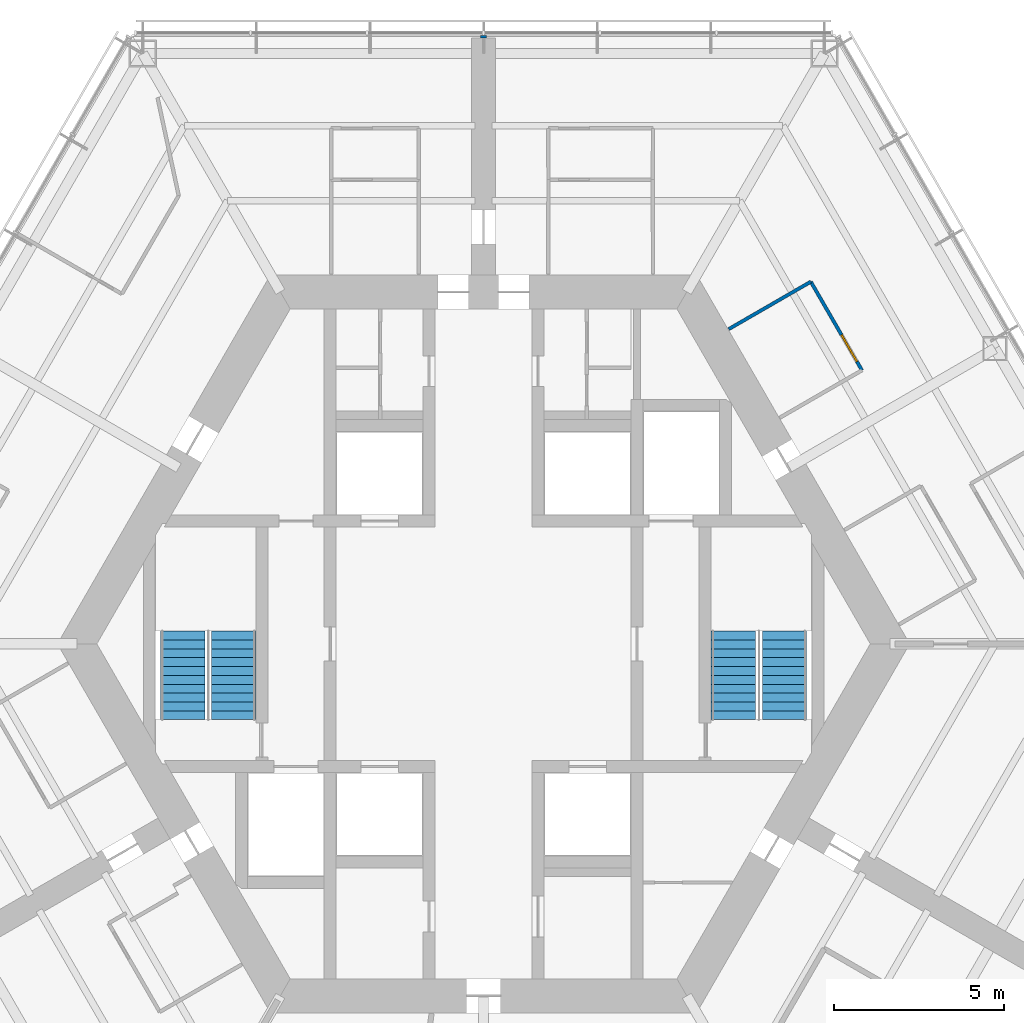
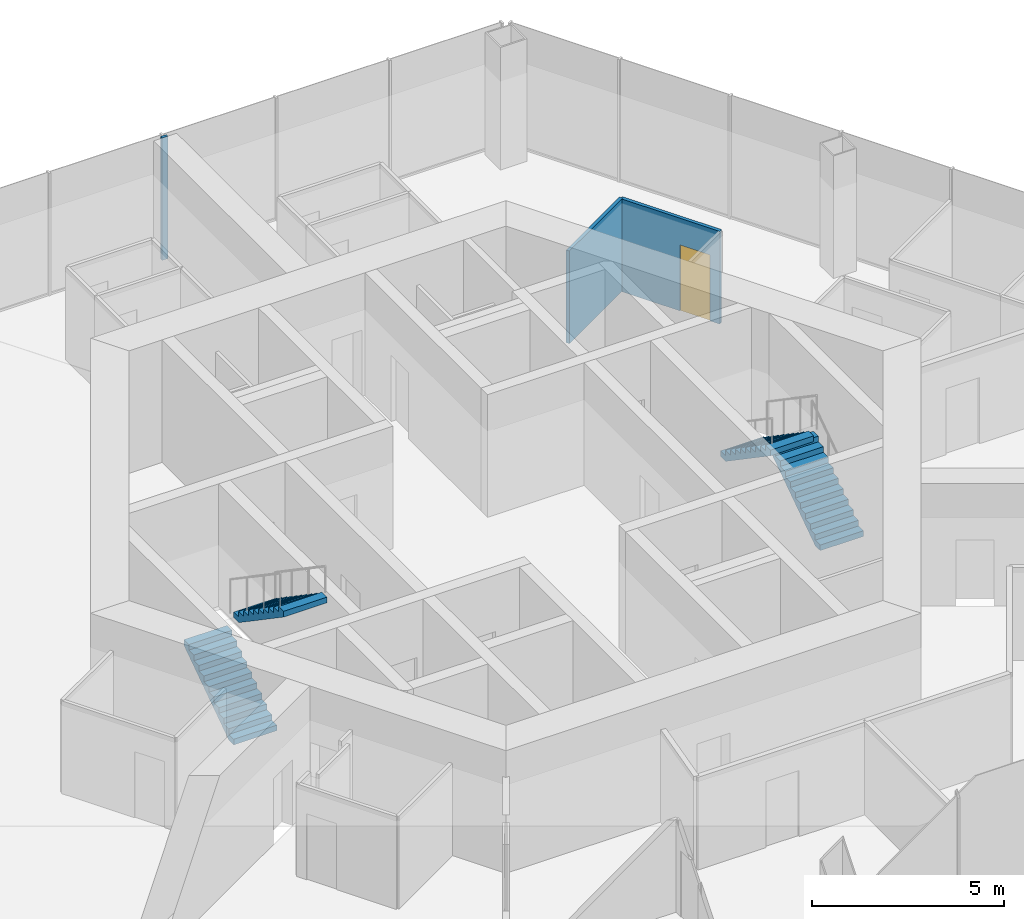
# One storey, part 15 of 18: 4 stair flights, 3 walls, 1 door, 1 opening, 2 elements without a shape of their own.
"""IFC4 building model written with IfcOpenShell, lengths in metres."""

import ifcopenshell
import ifcopenshell.guid

model = None  # the IFC model being written
_history = None  # IfcOwnerHistory: only IFC2X3 demands one
_inside = {}  # id of a spatial element -> (the spatial element, [elements in it])
_under = {}  # id of a project, library or spatial element -> (it, [spatial elements below it])
_declared = {}  # id of a project -> (the project, [libraries it declares])
_typed = {}  # id of a type object -> (the type object, [elements of that type])
_made_of = {}  # id of a material, layer set ... -> (it, [elements and type objects made of it])


def new_model(schema):
    """Start an empty IFC model of exactly this schema.

    Asked for "IFC4X3", IfcOpenShell would pick the latest addendum, in which some entities
    have other attributes; the version numbers below select the first issue.
    IFC2X3 requires an IfcOwnerHistory on every rooted entity: one is made here for all.
    """
    global model, _history
    if schema == "IFC4X3":
        model = ifcopenshell.file(schema_version=(4, 3, 0, 0))
    else:
        model = ifcopenshell.file(schema=schema)
    _inside.clear()
    _under.clear()
    _declared.clear()
    _typed.clear()
    _made_of.clear()
    _history = None
    if model.schema == "IFC2X3":
        org = make("IfcOrganization", Name="unknown")
        user = make(
            "IfcPersonAndOrganization",
            ThePerson=make("IfcPerson", FamilyName="unknown"),
            TheOrganization=org,
        )
        app = make(
            "IfcApplication",
            ApplicationDeveloper=org,
            Version="unknown",
            ApplicationFullName="unknown",
            ApplicationIdentifier="unknown",
        )
        _history = make(
            "IfcOwnerHistory",
            OwningUser=user,
            OwningApplication=app,
            ChangeAction="ADDED",
            CreationDate=0,
        )
    return model


def make(cls, **values):
    """One entity of the class cls with the attributes given. An attribute that is None is left unset."""
    return model.create_entity(
        cls, **{name: value for name, value in values.items() if value is not None}
    )


def rooted(cls, **values):
    """An entity with a GlobalId (a new one), such as an element, a storey or a relation."""
    return make(cls, GlobalId=ifcopenshell.guid.new(), OwnerHistory=_history, **values)


def si_unit(unit_type, name, prefix=None):
    """IfcSIUnit, for example si_unit("LENGTHUNIT", "METRE", prefix="MILLI")."""
    return make("IfcSIUnit", UnitType=unit_type, Prefix=prefix, Name=name)


def assignment(units):
    """IfcUnitAssignment: the units of a project."""
    return None if units is None else make("IfcUnitAssignment", Units=units)


def point(xyz):
    """IfcCartesianPoint."""
    return None if xyz is None else make("IfcCartesianPoint", Coordinates=xyz)


def direction(xyz):
    """IfcDirection."""
    return None if xyz is None else make("IfcDirection", DirectionRatios=xyz)


def frame(location, z_axis=None, x_axis=None):
    """IfcAxis2Placement3D, a coordinate frame: its origin and axes. An axis left out is left unset."""
    return make(
        "IfcAxis2Placement3D",
        Location=point(location),
        Axis=direction(z_axis),
        RefDirection=direction(x_axis),
    )


def frame_2d(location, x_axis=None):
    """IfcAxis2Placement2D, a coordinate frame in the plane: its origin and x axis."""
    return make(
        "IfcAxis2Placement2D", Location=point(location), RefDirection=direction(x_axis)
    )


def origin():
    """The frame at (0, 0, 0) with its axes left unset."""
    return frame((0.0, 0.0, 0.0))


def place(relative_to, where):
    """IfcLocalPlacement: puts the frame where relative to a parent placement (None: the world)."""
    return make(
        "IfcLocalPlacement", PlacementRelTo=relative_to, RelativePlacement=where
    )


def context(
    kind, dimensions, precision=None, world=None, true_north=None, identifier=None
):
    """IfcGeometricRepresentationContext, for example the 3D "Model" context."""
    return make(
        "IfcGeometricRepresentationContext",
        ContextIdentifier=identifier,
        ContextType=kind,
        CoordinateSpaceDimension=dimensions,
        Precision=precision,
        WorldCoordinateSystem=world,
        TrueNorth=true_north,
    )


def subcontext(parent, identifier, kind, view, scale=None):
    """IfcGeometricRepresentationSubContext, for example "Body" below "Model"."""
    return make(
        "IfcGeometricRepresentationSubContext",
        ContextIdentifier=identifier,
        ContextType=kind,
        ParentContext=parent,
        TargetScale=scale,
        TargetView=view,
    )


def project(units=None, contexts=None):
    """IfcProject with its units and contexts."""
    return rooted(
        "IfcProject",
        Name="project",
        RepresentationContexts=contexts,
        UnitsInContext=assignment(units),
    )


def spatial(cls, under=None, at=None, **own):
    """A site, building, storey or space (cls), placed at a placement, below another one or the project."""
    s = rooted(cls, ObjectPlacement=at, **own)
    if under is not None:
        _under.setdefault(under.id(), (under, []))[1].append(s)
    return s


def polyline(points):
    """IfcPolyline through the points."""
    return make("IfcPolyline", Points=[point(p) for p in points])


def profile(cls, at=None, kind="AREA", **sizes):
    """A parametric profile (cls). Its sizes go by their IFC names, for example OverallWidth=200.0."""
    return make(cls, ProfileType=kind, Position=at, **sizes)


def rectangle(**sizes):
    """IfcRectangleProfileDef."""
    return profile("IfcRectangleProfileDef", **sizes)


def outline(outer, holes=None, kind="AREA"):
    """IfcArbitraryClosedProfileDef: a profile drawn as a closed curve; with holes, ...WithVoids."""
    if holes is None:
        return make("IfcArbitraryClosedProfileDef", ProfileType=kind, OuterCurve=outer)
    return make(
        "IfcArbitraryProfileDefWithVoids",
        ProfileType=kind,
        OuterCurve=outer,
        InnerCurves=holes,
    )


def extrude(swept, where, along, depth):
    """IfcExtrudedAreaSolid: the profile swept, set in the frame where, extruded along a direction by depth."""
    return make(
        "IfcExtrudedAreaSolid",
        SweptArea=swept,
        Position=where,
        ExtrudedDirection=direction(along),
        Depth=depth,
    )


def shape(context_of_items, identifier, shape_type, items):
    """IfcShapeRepresentation: the items that make up one representation, for example the "Body"."""
    return make(
        "IfcShapeRepresentation",
        ContextOfItems=context_of_items,
        RepresentationIdentifier=identifier,
        RepresentationType=shape_type,
        Items=items,
    )


def material(Name=None, Category=None):
    """IfcMaterial."""
    return make("IfcMaterial", Name=Name, Category=Category)


def layer(
    of_material, thickness, ventilated=None, Name=None, Category=None, Priority=None
):
    """IfcMaterialLayer: one layer of a wall or slab, of a material (None: an air gap)."""
    return make(
        "IfcMaterialLayer",
        Material=of_material,
        LayerThickness=thickness,
        IsVentilated=ventilated,
        Name=Name,
        Category=Category,
        Priority=Priority,
    )


def layer_set(layers, Name=None):
    """IfcMaterialLayerSet."""
    return make("IfcMaterialLayerSet", MaterialLayers=layers, LayerSetName=Name)


def made_of(thing, what):
    """Note that an element or type object is made of a material, layer set ...; save() writes the relation."""
    if what is not None:
        _made_of.setdefault(what.id(), (what, []))[1].append(thing)
    return thing


def type_object(cls, material=None, **own):
    """A type object (cls), such as IfcWallType, which elements share."""
    return made_of(rooted(cls, **own), material)


def element(
    cls,
    number,
    at=None,
    inside=None,
    cuts=None,
    type_object=None,
    material=None,
    context=None,
    identifier="Body",
    shape_type=None,
    held_by="IfcProductDefinitionShape",
    body=None,
    shapes=None,
    **own,
):
    """One element of the class cls, such as IfcWall. Its Tag is "e" and its number.

    at: its placement. inside: the storey or other place that contains it. cuts: it is an
    opening in that element (IfcRelVoidsElement). A single representation is given by context,
    identifier, shape_type and body (its items); several are given by shapes. held_by: the class
    of the entity that holds the representations. save() writes the other relations.
    """
    e = rooted(cls, Tag="e%d" % number, ObjectPlacement=at, **own)
    if body is not None:
        shapes = [shape(context, identifier, shape_type, body)]
    if shapes is not None:
        e.Representation = make(held_by, Representations=shapes)
    if inside is not None:
        _inside.setdefault(inside.id(), (inside, []))[1].append(e)
    if cuts is not None:
        rooted(
            "IfcRelVoidsElement", RelatingBuildingElement=cuts, RelatedOpeningElement=e
        )
    if type_object is not None:
        _typed.setdefault(type_object.id(), (type_object, []))[1].append(e)
    return made_of(e, material)


def fill(opening, filler):
    """IfcRelFillsElement: the door or window that sits in an opening."""
    return rooted(
        "IfcRelFillsElement",
        RelatingOpeningElement=opening,
        RelatedBuildingElement=filler,
    )


def aggregate(whole, parts):
    """IfcRelAggregates: a whole, such as a stair, and the parts it consists of."""
    return rooted("IfcRelAggregates", RelatingObject=whole, RelatedObjects=parts)


def save(model, path):
    """Write the relations noted so far, then the file.

    IfcRelAggregates (storeys below a building ...), IfcRelContainedInSpatialStructure (elements
    in a storey), IfcRelDefinesByType, IfcRelAssociatesMaterial and IfcRelDeclares: one each for
    every whole, place, type object, material and project.
    """
    for whole, parts in _under.values():
        aggregate(whole, parts)
    for where, things in _inside.values():
        rooted(
            "IfcRelContainedInSpatialStructure",
            RelatedElements=things,
            RelatingStructure=where,
        )
    for kind, things in _typed.values():
        rooted("IfcRelDefinesByType", RelatedObjects=things, RelatingType=kind)
    for what, things in _made_of.values():
        rooted("IfcRelAssociatesMaterial", RelatedObjects=things, RelatingMaterial=what)
    for by, libraries in _declared.values():
        rooted("IfcRelDeclares", RelatingContext=by, RelatedDefinitions=libraries)
    model.write(path)


model = new_model("IFC4")

# Units and contexts
model_context = context("Model", 3, precision=1e-05, world=origin(), true_north=direction((0.0, 1.0)))
body_context = subcontext(model_context, "Body", "Model", "MODEL_VIEW")
ifc_project = project(units=[si_unit("LENGTHUNIT", "METRE"), si_unit("AREAUNIT", "SQUARE_METRE"), si_unit("VOLUMEUNIT", "CUBIC_METRE"), si_unit("PLANEANGLEUNIT", "RADIAN"), si_unit("MASSUNIT", "GRAM", prefix="KILO")], contexts=[model_context])

# Site, building, storey
site_placement = place(None, origin())
site = spatial("IfcSite", under=ifc_project, at=site_placement, CompositionType="ELEMENT")
building_placement = place(site_placement, origin())
building = spatial("IfcBuilding", under=site, at=building_placement, Name="Kasaneha Research Tower", CompositionType="ELEMENT")
storey_placement = place(building_placement, frame((0.0, 0.0, 172.10009765625)))
storey = spatial("IfcBuildingStorey", under=building, at=storey_placement, Name="L43", CompositionType="ELEMENT", Elevation=172.10009765625)

# Wall
ifc_material_1 = material(Name="Gypsum board on steel studs, one layer each side", Category="steel")
ifc_layer_1 = layer(ifc_material_1, 0.10009765625)
ifc_layer_set_1 = layer_set([ifc_layer_1], Name="Office partition 100")
wall_type_1 = type_object("IfcWallType", Name="Office partition 100", PredefinedType="PARTITIONING", material=ifc_layer_set_1)
wall_1_placement = place(storey_placement, frame((7.19189453125, 9.23291015625, 0.0), z_axis=(0.0, 0.0, 1.0), x_axis=(0.866018876994, 0.500011304563, 0.0)))
element("IfcWall", 1, at=wall_1_placement, inside=storey, type_object=wall_type_1, Name="Office partition FAE07 L43", PredefinedType="PARTITIONING", context=body_context, shape_type="SweptSolid", body=[
    extrude(rectangle(XDim=2.7802734375, YDim=0.10009765625, at=frame_2d((1.39013671875, 0.0))), origin(), (0.0, 0.0, 1.0), 2.949951171875),
])

# Wall, opening, door
wall_2_placement = place(storey_placement, frame((9.599609375, 10.623046875, 0.0), z_axis=(0.0, 0.0, 1.0), x_axis=(0.499990139034, -0.866031096941, 0.0)))
wall_2 = element("IfcWall", 2, at=wall_2_placement, inside=storey, type_object=wall_type_1, Name="Office partition FAE08 L43", PredefinedType="PARTITIONING", context=body_context, shape_type="SweptSolid", body=[
    extrude(rectangle(XDim=3.0, YDim=0.10009765625, at=frame_2d((1.5, 0.0))), origin(), (0.0, 0.0, 1.0), 2.949951171875),
])
opening_placement = place(wall_2_placement, frame((1.800048828125, 0.0, 0.0)))
opening = element("IfcOpeningElement", 3, at=opening_placement, cuts=wall_2, Name="Opening L43-D29", PredefinedType="OPENING", context=body_context, shape_type="SweptSolid", body=[
    extrude(rectangle(XDim=0.89990234375, YDim=2.10009765625, at=frame_2d((0.449951171875, 1.050048828125))), frame((0.0, 0.06005859375, 0.0), z_axis=(0.0, -1.0, 0.0), x_axis=(1.0, 0.0, 0.0)), (0.0, 0.0, 1.0), 0.1201171875),
])
ifc_material_2 = material(Name="Timber veneer", Category="wood")
door_type = type_object("IfcDoorType", Name="Office door 900x2100", OperationType="SINGLE_SWING_LEFT", PredefinedType="DOOR", material=ifc_material_2)
door_placement = place(opening_placement, origin())
door = element("IfcDoor", 4, at=door_placement, inside=storey, type_object=door_type, Name="Pantry door L43-D29", OperationType="SINGLE_SWING_RIGHT", OverallHeight=2.10009765625, OverallWidth=0.89990234375, PredefinedType="DOOR", context=body_context, shape_type="SweptSolid", body=[
    extrude(rectangle(XDim=0.89990234375, YDim=2.10009765625, at=frame_2d((0.449951171875, 1.050048828125))), frame((0.0, 0.02490234375, 0.0), z_axis=(0.0, -1.0, 0.0), x_axis=(1.0, 0.0, 0.0)), (0.0, 0.0, 1.0), 0.050048828125),
])
fill(opening, door)

# Wall
ifc_material_3 = material(Name="Gypsum board on steel studs, two layers each side", Category="steel")
ifc_layer_2 = layer(ifc_material_3, 0.175048828125)
ifc_layer_set_2 = layer_set([ifc_layer_2], Name="Tenancy fire partition 175")
wall_type_2 = type_object("IfcWallType", Name="Tenancy fire partition 175", PredefinedType="PARTITIONING", material=ifc_layer_set_2)
wall_3_placement = place(storey_placement, frame((0.0, 17.7705078125, 0.0), z_axis=(0.0, 0.0, 1.0), x_axis=(0.0, 1.0, 0.0)))
element("IfcWall", 5, at=wall_3_placement, inside=storey, type_object=wall_type_2, Name="Spine wall closer SW3-700 L43", PredefinedType="PARTITIONING", context=body_context, shape_type="SweptSolid", body=[
    extrude(rectangle(XDim=0.080078125, YDim=0.175048828125, at=frame_2d((0.0400390625, 0.0))), origin(), (0.0, 0.0, 1.0), 3.89990234375),
])

# Stair, stair flights
ifc_material_4 = material(Name="Concrete Fc24", Category="concrete")
stair_type = type_object("IfcStairType", Name="Half-turn stair 22 risers", PredefinedType="HALF_TURN_STAIR", material=ifc_material_4)
stair_1_placement = place(storey_placement, origin())
stair_1 = element("IfcStair", 6, at=stair_1_placement, inside=storey, type_object=stair_type, Name="Stair 1 L43", PredefinedType="HALF_TURN_STAIR")
ifc_material_5 = material(Name="Concrete Fc24", Category="concrete")
stair_flight_type = type_object("IfcStairFlightType", Name="Stair flight 11 risers 177.3", PredefinedType="STRAIGHT", material=ifc_material_5)
stair_flight_1_placement = place(storey_placement, frame((8.824951171875, -2.22509765625, 0.0), z_axis=(0.0, 0.0, 1.0), x_axis=(0.0, 1.0, 0.0)))
stair_flight_1 = element("IfcStairFlight", 7, at=stair_flight_1_placement, type_object=stair_flight_type, Name="ST1-22R flight 1", NumberOfRisers=11, NumberOfTreads=10, PredefinedType="STRAIGHT", RiserHeight=0.177272727, TreadLength=0.26, context=body_context, shape_type="SweptSolid", body=[
    extrude(outline(polyline([(0.0, 0.0), (0.0, 0.17724609375), (0.260009765625, 0.17724609375), (0.260009765625, 0.3544921875), (0.52001953125, 0.3544921875), (0.52001953125, 0.53173828125), (0.780029296875, 0.53173828125), (0.780029296875, 0.708984375), (1.0400390625, 0.708984375), (1.0400390625, 0.886474609375), (1.300048828125, 0.886474609375), (1.300048828125, 1.063720703125), (1.56005859375, 1.063720703125), (1.56005859375, 1.240966796875), (1.820068359375, 1.240966796875), (1.820068359375, 1.418212890625), (2.080078125, 1.418212890625), (2.080078125, 1.595458984375), (2.340087890625, 1.595458984375), (2.340087890625, 1.772705078125), (2.60009765625, 1.772705078125), (2.60009765625, 1.949951171875), (2.60009765625, 1.59130859375), (0.26611328125, 0.0), (0.0, 0.0)])), frame((0.0, 0.64990234375, 0.0), z_axis=(0.0, -1.0, 0.0), x_axis=(1.0, 0.0, 0.0)), (0.0, 0.0, 1.0), 1.300048828125),
])
stair_flight_2_placement = place(storey_placement, frame((7.324951171875, 0.375, 1.949951171875), z_axis=(0.0, 0.0, 1.0), x_axis=(0.0, -1.0, 0.0)))
stair_flight_2 = element("IfcStairFlight", 8, at=stair_flight_2_placement, type_object=stair_flight_type, Name="ST1-22R flight 2", NumberOfRisers=11, NumberOfTreads=10, PredefinedType="STRAIGHT", RiserHeight=0.177272727, TreadLength=0.26, context=body_context, shape_type="SweptSolid", body=[
    extrude(outline(polyline([(0.0, 0.0), (0.0, 0.17724609375), (0.260009765625, 0.17724609375), (0.260009765625, 0.3544921875), (0.52001953125, 0.3544921875), (0.52001953125, 0.53173828125), (0.780029296875, 0.53173828125), (0.780029296875, 0.708984375), (1.0400390625, 0.708984375), (1.0400390625, 0.886474609375), (1.300048828125, 0.886474609375), (1.300048828125, 1.063720703125), (1.56005859375, 1.063720703125), (1.56005859375, 1.240966796875), (1.820068359375, 1.240966796875), (1.820068359375, 1.418212890625), (2.080078125, 1.418212890625), (2.080078125, 1.595458984375), (2.340087890625, 1.595458984375), (2.340087890625, 1.772705078125), (2.60009765625, 1.772705078125), (2.60009765625, 1.949951171875), (2.60009765625, 1.59130859375), (0.26611328125, 0.0), (0.0, 0.0)])), frame((0.0, 0.64990234375, 0.0), z_axis=(0.0, -1.0, 0.0), x_axis=(1.0, 0.0, 0.0)), (0.0, 0.0, 1.0), 1.300048828125),
])
aggregate(stair_1, [stair_flight_1, stair_flight_2])

stair_2_placement = place(storey_placement, origin())
stair_2 = element("IfcStair", 9, at=stair_2_placement, inside=storey, type_object=stair_type, Name="Stair 2 L43", PredefinedType="HALF_TURN_STAIR")
stair_flight_3_placement = place(storey_placement, frame((-8.824951171875, -2.22509765625, 0.0), z_axis=(0.0, 0.0, 1.0), x_axis=(0.0, 1.0, 0.0)))
stair_flight_3 = element("IfcStairFlight", 10, at=stair_flight_3_placement, type_object=stair_flight_type, Name="ST2-22R flight 1", NumberOfRisers=11, NumberOfTreads=10, PredefinedType="STRAIGHT", RiserHeight=0.177272727, TreadLength=0.26, context=body_context, shape_type="SweptSolid", body=[
    extrude(outline(polyline([(0.0, 0.0), (0.0, 0.17724609375), (0.260009765625, 0.17724609375), (0.260009765625, 0.3544921875), (0.52001953125, 0.3544921875), (0.52001953125, 0.53173828125), (0.780029296875, 0.53173828125), (0.780029296875, 0.708984375), (1.0400390625, 0.708984375), (1.0400390625, 0.886474609375), (1.300048828125, 0.886474609375), (1.300048828125, 1.063720703125), (1.56005859375, 1.063720703125), (1.56005859375, 1.240966796875), (1.820068359375, 1.240966796875), (1.820068359375, 1.418212890625), (2.080078125, 1.418212890625), (2.080078125, 1.595458984375), (2.340087890625, 1.595458984375), (2.340087890625, 1.772705078125), (2.60009765625, 1.772705078125), (2.60009765625, 1.949951171875), (2.60009765625, 1.59130859375), (0.26611328125, 0.0), (0.0, 0.0)])), frame((0.0, 0.64990234375, 0.0), z_axis=(0.0, -1.0, 0.0), x_axis=(1.0, 0.0, 0.0)), (0.0, 0.0, 1.0), 1.300048828125),
])
stair_flight_4_placement = place(storey_placement, frame((-7.324951171875, 0.375, 1.949951171875), z_axis=(0.0, 0.0, 1.0), x_axis=(0.0, -1.0, 0.0)))
stair_flight_4 = element("IfcStairFlight", 11, at=stair_flight_4_placement, type_object=stair_flight_type, Name="ST2-22R flight 2", NumberOfRisers=11, NumberOfTreads=10, PredefinedType="STRAIGHT", RiserHeight=0.177272727, TreadLength=0.26, context=body_context, shape_type="SweptSolid", body=[
    extrude(outline(polyline([(0.0, 0.0), (0.0, 0.17724609375), (0.260009765625, 0.17724609375), (0.260009765625, 0.3544921875), (0.52001953125, 0.3544921875), (0.52001953125, 0.53173828125), (0.780029296875, 0.53173828125), (0.780029296875, 0.708984375), (1.0400390625, 0.708984375), (1.0400390625, 0.886474609375), (1.300048828125, 0.886474609375), (1.300048828125, 1.063720703125), (1.56005859375, 1.063720703125), (1.56005859375, 1.240966796875), (1.820068359375, 1.240966796875), (1.820068359375, 1.418212890625), (2.080078125, 1.418212890625), (2.080078125, 1.595458984375), (2.340087890625, 1.595458984375), (2.340087890625, 1.772705078125), (2.60009765625, 1.772705078125), (2.60009765625, 1.949951171875), (2.60009765625, 1.59130859375), (0.26611328125, 0.0), (0.0, 0.0)])), frame((0.0, 0.64990234375, 0.0), z_axis=(0.0, -1.0, 0.0), x_axis=(1.0, 0.0, 0.0)), (0.0, 0.0, 1.0), 1.300048828125),
])
aggregate(stair_2, [stair_flight_3, stair_flight_4])

save(model, "model.ifc")
